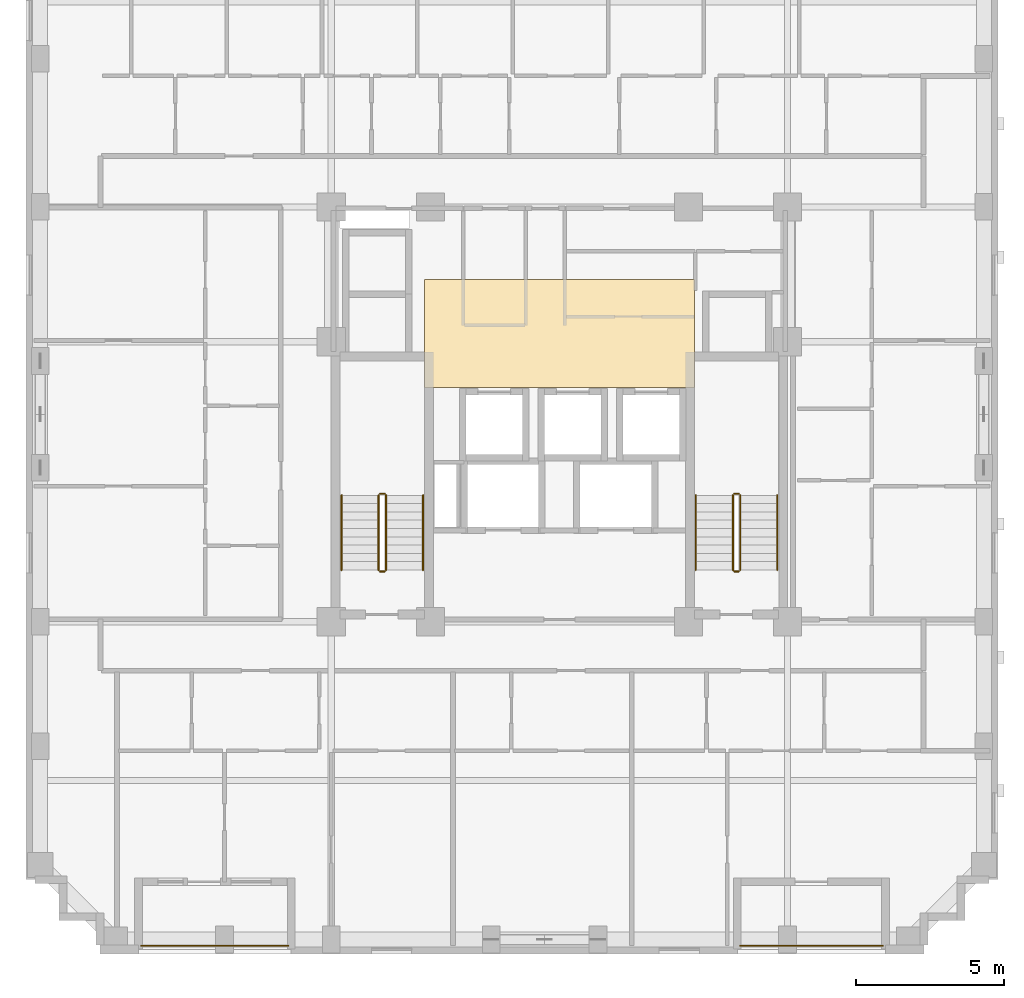
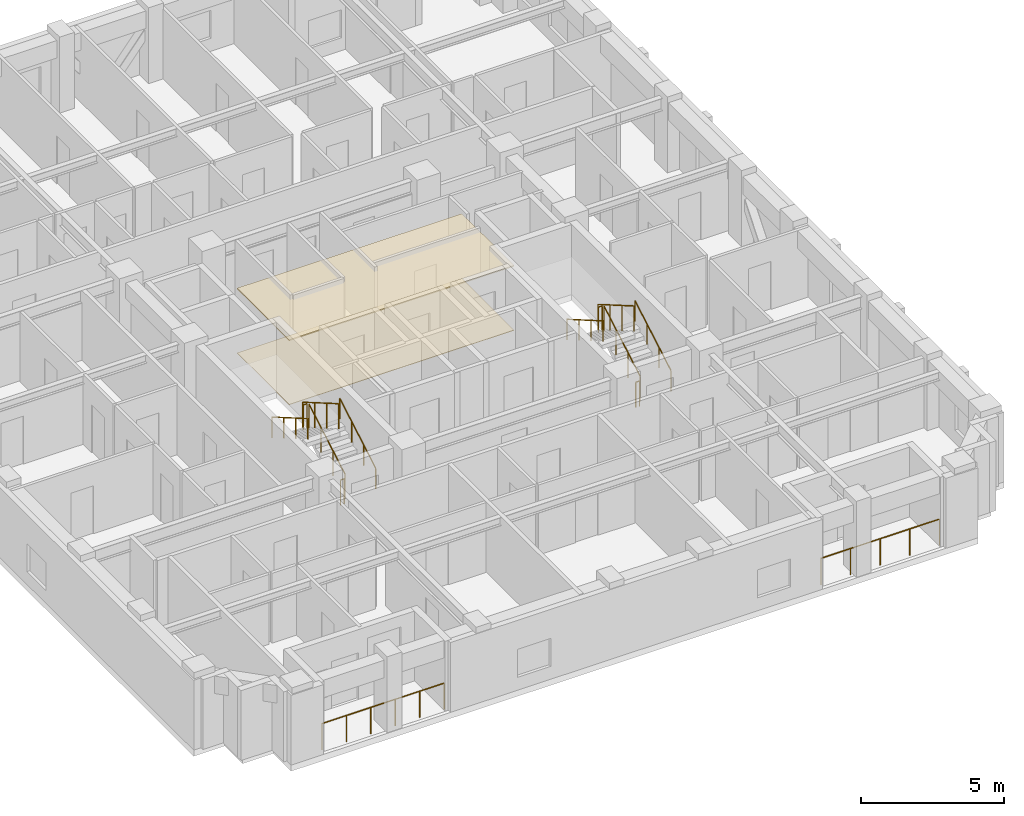
# One storey, part 10 of 11: 14 railings, 2 coverings.
"""IFC4 building model written with IfcOpenShell, lengths in metres."""

from ifc_helpers import new_model, si_unit, derived_unit, direction, frame, origin, origin_2d, place, context, subcontext, project, spatial, polyline, circle, outline, extrude, material, layer, layer_set, type_object, element, save


model = new_model("IFC4")

# Units and contexts
model_context = context("Model", 3, precision=1e-05, world=origin(), true_north=direction((0.0, 1.0)))
body_context = subcontext(model_context, "Body", "Model", "MODEL_VIEW")
ifc_project = project(units=[si_unit("LENGTHUNIT", "METRE"), si_unit("AREAUNIT", "SQUARE_METRE"), si_unit("VOLUMEUNIT", "CUBIC_METRE"), si_unit("PLANEANGLEUNIT", "RADIAN"), si_unit("MASSUNIT", "GRAM", prefix="KILO"), derived_unit("THERMALTRANSMITTANCEUNIT", [(si_unit("MASSUNIT", "GRAM", prefix="KILO"), 1), (si_unit("TIMEUNIT", "SECOND"), -3), (si_unit("THERMODYNAMICTEMPERATUREUNIT", "KELVIN"), -1)])], contexts=[model_context])

# Site, building, storey
site_placement = place(None, origin())
site = spatial("IfcSite", under=ifc_project, at=site_placement, CompositionType="ELEMENT")
building_placement = place(site_placement, origin())
building = spatial("IfcBuilding", under=site, at=building_placement, Name="Korrvale Station Residences", CompositionType="ELEMENT")
storey_placement = place(building_placement, frame((0.0, 0.0, 156.89990234375)))
storey = spatial("IfcBuildingStorey", under=building, at=storey_placement, Name="L45", CompositionType="ELEMENT", Elevation=156.89990234375)

# Coverings
ifc_material_1 = material(Name="Perforated acoustic mineral-fibre suspended ceiling", Category="gypsum")
ifc_layer_1 = layer(ifc_material_1, 0.050048828125, Name="Perforated acoustic mineral-fibre suspended ceiling")
ifc_layer_set_1 = layer_set([ifc_layer_1], Name="Perforated acoustic mineral-fibre suspended ceiling")
covering_type_1 = type_object("IfcCoveringType", Name="COV-CLG-AC60", PredefinedType="CEILING", material=ifc_layer_set_1)
covering_1_placement = place(storey_placement, frame((0.0, 0.0, 2.739990234375)))
element("IfcCovering", 1, at=covering_1_placement, inside=storey, type_object=covering_type_1, Name="L45 Elevator Lobby Acoustic Ceiling", PredefinedType="CEILING", context=body_context, shape_type="SweptSolid", body=[
    extrude(outline(polyline([(20.949951171875, 22.89990234375), (30.050048828125, 22.89990234375), (30.050048828125, 26.550048828125), (20.949951171875, 26.550048828125), (20.949951171875, 22.89990234375)])), origin(), (0.0, 0.0, 1.0), 0.050048828125),
])
ifc_material_2 = material(Name="Polished quartz-terrazzo lobby flooring", Category="masonry")
ifc_layer_2 = layer(ifc_material_2, 0.02001953125, Name="Polished quartz-terrazzo lobby flooring")
ifc_layer_set_2 = layer_set([ifc_layer_2], Name="Polished quartz-terrazzo lobby flooring")
covering_type_2 = type_object("IfcCoveringType", Name="COV-FLR-TER20", PredefinedType="FLOORING", material=ifc_layer_set_2)
covering_2_placement = place(storey_placement, origin())
element("IfcCovering", 2, at=covering_2_placement, inside=storey, type_object=covering_type_2, Name="L45 Elevator Lobby Terrazzo Flooring", PredefinedType="FLOORING", context=body_context, shape_type="SweptSolid", body=[
    extrude(outline(polyline([(20.949951171875, 22.89990234375), (30.050048828125, 22.89990234375), (30.050048828125, 26.550048828125), (20.949951171875, 26.550048828125), (20.949951171875, 22.89990234375)])), origin(), (0.0, 0.0, 1.0), 0.02001953125),
])

# Railings
ifc_material_3 = material(Name="Powder-coated aluminium picket loggia guard", Category="aluminium")
railing_type_1 = type_object("IfcRailingType", Name="RLG-BAL-1150", PredefinedType="GUARDRAIL", material=ifc_material_3)
railing_1_placement = place(storey_placement, frame((31.60009765625, 4.070068359375, 0.0)))
element("IfcRailing", 3, at=railing_1_placement, inside=storey, type_object=railing_type_1, Name="L45 Recessed Loggia Guardrail BAL-L45-S2", PredefinedType="GUARDRAIL", context=body_context, shape_type="SweptSolid", body=[
    extrude(circle(Radius=0.02392578125, at=origin_2d()), frame((0.0, 0.0, 1.1259765625), z_axis=(1.0, 0.0, 0.0), x_axis=(0.0, 1.0, 0.0)), (0.0, 0.0, 1.0), 4.7998046875),
    extrude(circle(Radius=0.02099609375, at=origin_2d()), origin(), (0.0, 0.0, 1.0), 1.101806640625),
    extrude(circle(Radius=0.02099609375, at=origin_2d()), frame((1.199951171875, 0.0, 0.0)), (0.0, 0.0, 1.0), 1.101806640625),
    extrude(circle(Radius=0.02099609375, at=origin_2d()), frame((2.39990234375, 0.0, 0.0)), (0.0, 0.0, 1.0), 1.101806640625),
    extrude(circle(Radius=0.02099609375, at=origin_2d()), frame((3.599853515625, 0.0, 0.0)), (0.0, 0.0, 1.0), 1.101806640625),
    extrude(circle(Radius=0.02099609375, at=origin_2d()), frame((4.7998046875, 0.0, 0.0)), (0.0, 0.0, 1.0), 1.101806640625),
])
railing_2_placement = place(storey_placement, frame((11.39990234375, 4.070068359375, 0.0)))
element("IfcRailing", 4, at=railing_2_placement, inside=storey, type_object=railing_type_1, Name="L45 Recessed Loggia Guardrail BAL-L45-S1", PredefinedType="GUARDRAIL", context=body_context, shape_type="SweptSolid", body=[
    extrude(circle(Radius=0.02392578125, at=origin_2d()), frame((0.0, 0.0, 1.1259765625), z_axis=(1.0, 0.0, 0.0), x_axis=(0.0, 1.0, 0.0)), (0.0, 0.0, 1.0), 4.9501953125),
    extrude(circle(Radius=0.02099609375, at=origin_2d()), origin(), (0.0, 0.0, 1.0), 1.101806640625),
    extrude(circle(Radius=0.02099609375, at=origin_2d()), frame((0.989990234375, 0.0, 0.0)), (0.0, 0.0, 1.0), 1.101806640625),
    extrude(circle(Radius=0.02099609375, at=origin_2d()), frame((1.97998046875, 0.0, 0.0)), (0.0, 0.0, 1.0), 1.101806640625),
    extrude(circle(Radius=0.02099609375, at=origin_2d()), frame((2.97021484375, 0.0, 0.0)), (0.0, 0.0, 1.0), 1.101806640625),
    extrude(circle(Radius=0.02099609375, at=origin_2d()), frame((3.960205078125, 0.0, 0.0)), (0.0, 0.0, 1.0), 1.101806640625),
    extrude(circle(Radius=0.02099609375, at=origin_2d()), frame((4.9501953125, 0.0, 0.0)), (0.0, 0.0, 1.0), 1.101806640625),
])
ifc_material_4 = material(Name="Brushed stainless-steel continuous stair handrail", Category="steel")
railing_type_2 = type_object("IfcRailingType", Name="RLG-SHND-900", PredefinedType="HANDRAIL", material=ifc_material_4)
railing_3_placement = place(storey_placement, frame((20.89990234375, 16.75, 0.16259765625)))
element("IfcRailing", 5, at=railing_3_placement, inside=storey, type_object=railing_type_2, Name="L45 ST-1 stair handrail 1", PredefinedType="HANDRAIL", context=body_context, shape_type="SweptSolid", body=[
    extrude(circle(Radius=0.02392578125, at=origin_2d()), frame((0.0, 0.0, 0.8759765625), z_axis=(0.0, 0.864913338283, 0.50192122615), x_axis=(-1.0, 0.0, 0.0)), (0.0, 0.0, 1.0), 2.91357421875),
    extrude(circle(Radius=0.02099609375, at=origin_2d()), origin(), (0.0, 0.0, 1.0), 0.851806640625),
    extrude(circle(Radius=0.02099609375, at=origin_2d()), frame((0.0, 0.840087890625, 0.487548828125)), (0.0, 0.0, 1.0), 0.851806640625),
    extrude(circle(Radius=0.02099609375, at=origin_2d()), frame((0.0, 1.679931640625, 0.974853515625)), (0.0, 0.0, 1.0), 0.851806640625),
    extrude(circle(Radius=0.02099609375, at=origin_2d()), frame((0.0, 2.52001953125, 1.46240234375)), (0.0, 0.0, 1.0), 0.851806640625),
])
railing_4_placement = place(storey_placement, frame((18.14990234375, 19.27001953125, 1.78759765625)))
element("IfcRailing", 6, at=railing_4_placement, inside=storey, type_object=railing_type_2, Name="L45 ST-1 stair handrail 2", PredefinedType="HANDRAIL", context=body_context, shape_type="SweptSolid", body=[
    extrude(circle(Radius=0.02392578125, at=origin_2d()), frame((0.0, 0.0, 0.8759765625), z_axis=(0.0, -0.864913338283, 0.50192122615), x_axis=(1.0, 0.0, 0.0)), (0.0, 0.0, 1.0), 2.91357421875),
    extrude(circle(Radius=0.02099609375, at=origin_2d()), origin(), (0.0, 0.0, 1.0), 0.851806640625),
    extrude(circle(Radius=0.02099609375, at=origin_2d()), frame((0.0, -0.840087890625, 0.487548828125)), (0.0, 0.0, 1.0), 0.851806640625),
    extrude(circle(Radius=0.02099609375, at=origin_2d()), frame((0.0, -1.679931640625, 0.974853515625)), (0.0, 0.0, 1.0), 0.851806640625),
    extrude(circle(Radius=0.02099609375, at=origin_2d()), frame((0.0, -2.52001953125, 1.46240234375)), (0.0, 0.0, 1.0), 0.851806640625),
])
railing_5_placement = place(storey_placement, frame((32.85009765625, 16.75, 0.16259765625)))
element("IfcRailing", 7, at=railing_5_placement, inside=storey, type_object=railing_type_2, Name="L45 ST-2 stair handrail 1", PredefinedType="HANDRAIL", context=body_context, shape_type="SweptSolid", body=[
    extrude(circle(Radius=0.02392578125, at=origin_2d()), frame((0.0, 0.0, 0.8759765625), z_axis=(0.0, 0.864913338283, 0.50192122615), x_axis=(-1.0, 0.0, 0.0)), (0.0, 0.0, 1.0), 2.91357421875),
    extrude(circle(Radius=0.02099609375, at=origin_2d()), origin(), (0.0, 0.0, 1.0), 0.851806640625),
    extrude(circle(Radius=0.02099609375, at=origin_2d()), frame((0.0, 0.840087890625, 0.487548828125)), (0.0, 0.0, 1.0), 0.851806640625),
    extrude(circle(Radius=0.02099609375, at=origin_2d()), frame((0.0, 1.679931640625, 0.974853515625)), (0.0, 0.0, 1.0), 0.851806640625),
    extrude(circle(Radius=0.02099609375, at=origin_2d()), frame((0.0, 2.52001953125, 1.46240234375)), (0.0, 0.0, 1.0), 0.851806640625),
])
railing_6_placement = place(storey_placement, frame((30.10009765625, 19.27001953125, 1.78759765625)))
element("IfcRailing", 8, at=railing_6_placement, inside=storey, type_object=railing_type_2, Name="L45 ST-2 stair handrail 2", PredefinedType="HANDRAIL", context=body_context, shape_type="SweptSolid", body=[
    extrude(circle(Radius=0.02392578125, at=origin_2d()), frame((0.0, 0.0, 0.8759765625), z_axis=(0.0, -0.864913338283, 0.50192122615), x_axis=(1.0, 0.0, 0.0)), (0.0, 0.0, 1.0), 2.91357421875),
    extrude(circle(Radius=0.02099609375, at=origin_2d()), origin(), (0.0, 0.0, 1.0), 0.851806640625),
    extrude(circle(Radius=0.02099609375, at=origin_2d()), frame((0.0, -0.840087890625, 0.487548828125)), (0.0, 0.0, 1.0), 0.851806640625),
    extrude(circle(Radius=0.02099609375, at=origin_2d()), frame((0.0, -1.679931640625, 0.974853515625)), (0.0, 0.0, 1.0), 0.851806640625),
    extrude(circle(Radius=0.02099609375, at=origin_2d()), frame((0.0, -2.52001953125, 1.46240234375)), (0.0, 0.0, 1.0), 0.851806640625),
])
ifc_material_5 = material(Name="Galvanised painted tubular steel stair guard", Category="steel")
railing_type_3 = type_object("IfcRailingType", Name="RLG-STR-1100", PredefinedType="GUARDRAIL", material=ifc_material_5)
railing_7_placement = place(storey_placement, frame((19.64990234375, 16.75, 0.16259765625)))
element("IfcRailing", 9, at=railing_7_placement, inside=storey, type_object=railing_type_3, Name="L45 ST-1 stair guard 1", PredefinedType="GUARDRAIL", context=body_context, shape_type="SweptSolid", body=[
    extrude(circle(Radius=0.02392578125, at=origin_2d()), frame((0.0, 0.0, 1.076171875), z_axis=(0.0, 0.864913338283, 0.50192122615), x_axis=(-1.0, 0.0, 0.0)), (0.0, 0.0, 1.0), 2.91357421875),
    extrude(circle(Radius=0.02099609375, at=origin_2d()), origin(), (0.0, 0.0, 1.0), 1.052001953125),
    extrude(circle(Radius=0.02099609375, at=origin_2d()), frame((0.0, 0.840087890625, 0.487548828125)), (0.0, 0.0, 1.0), 1.052001953125),
    extrude(circle(Radius=0.02099609375, at=origin_2d()), frame((0.0, 1.679931640625, 0.974853515625)), (0.0, 0.0, 1.0), 1.052001953125),
    extrude(circle(Radius=0.02099609375, at=origin_2d()), frame((0.0, 2.52001953125, 1.46240234375)), (0.0, 0.0, 1.0), 1.052001953125),
])
railing_8_placement = place(storey_placement, frame((19.60009765625, 19.320068359375, 1.625)))
element("IfcRailing", 10, at=railing_8_placement, inside=storey, type_object=railing_type_3, Name="L45 ST-1 stair guard 2", PredefinedType="GUARDRAIL", context=body_context, shape_type="SweptSolid", body=[
    extrude(circle(Radius=0.02392578125, at=origin_2d()), frame((0.0, 0.0, 1.076171875), z_axis=(-1.0, 0.0, 0.0), x_axis=(0.0, -1.0, 0.0)), (0.0, 0.0, 1.0), 0.150146484375),
    extrude(circle(Radius=0.02099609375, at=origin_2d()), origin(), (0.0, 0.0, 1.0), 1.052001953125),
    extrude(circle(Radius=0.02099609375, at=origin_2d()), frame((-0.150146484375, 0.0, 0.0)), (0.0, 0.0, 1.0), 1.052001953125),
])
railing_9_placement = place(storey_placement, frame((19.39990234375, 19.27001953125, 1.78759765625)))
element("IfcRailing", 11, at=railing_9_placement, inside=storey, type_object=railing_type_3, Name="L45 ST-1 stair guard 3", PredefinedType="GUARDRAIL", context=body_context, shape_type="SweptSolid", body=[
    extrude(circle(Radius=0.02392578125, at=origin_2d()), frame((0.0, 0.0, 1.076171875), z_axis=(0.0, -0.864913338283, 0.50192122615), x_axis=(1.0, 0.0, 0.0)), (0.0, 0.0, 1.0), 2.91357421875),
    extrude(circle(Radius=0.02099609375, at=origin_2d()), origin(), (0.0, 0.0, 1.0), 1.052001953125),
    extrude(circle(Radius=0.02099609375, at=origin_2d()), frame((0.0, -0.840087890625, 0.487548828125)), (0.0, 0.0, 1.0), 1.052001953125),
    extrude(circle(Radius=0.02099609375, at=origin_2d()), frame((0.0, -1.679931640625, 0.974853515625)), (0.0, 0.0, 1.0), 1.052001953125),
    extrude(circle(Radius=0.02099609375, at=origin_2d()), frame((0.0, -2.52001953125, 1.46240234375)), (0.0, 0.0, 1.0), 1.052001953125),
])
railing_10_placement = place(storey_placement, frame((19.60009765625, 16.699951171875, 0.0)))
element("IfcRailing", 12, at=railing_10_placement, inside=storey, type_object=railing_type_3, Name="L45 ST-1 stair guard 4", PredefinedType="GUARDRAIL", context=body_context, shape_type="SweptSolid", body=[
    extrude(circle(Radius=0.02392578125, at=origin_2d()), frame((0.0, 0.0, 1.076171875), z_axis=(-1.0, 0.0, 0.0), x_axis=(0.0, -1.0, 0.0)), (0.0, 0.0, 1.0), 0.150146484375),
    extrude(circle(Radius=0.02099609375, at=origin_2d()), origin(), (0.0, 0.0, 1.0), 1.052001953125),
    extrude(circle(Radius=0.02099609375, at=origin_2d()), frame((-0.150146484375, 0.0, 0.0)), (0.0, 0.0, 1.0), 1.052001953125),
])
railing_11_placement = place(storey_placement, frame((31.60009765625, 16.75, 0.16259765625)))
element("IfcRailing", 13, at=railing_11_placement, inside=storey, type_object=railing_type_3, Name="L45 ST-2 stair guard 1", PredefinedType="GUARDRAIL", context=body_context, shape_type="SweptSolid", body=[
    extrude(circle(Radius=0.02392578125, at=origin_2d()), frame((0.0, 0.0, 1.076171875), z_axis=(0.0, 0.864913338283, 0.50192122615), x_axis=(-1.0, 0.0, 0.0)), (0.0, 0.0, 1.0), 2.91357421875),
    extrude(circle(Radius=0.02099609375, at=origin_2d()), origin(), (0.0, 0.0, 1.0), 1.052001953125),
    extrude(circle(Radius=0.02099609375, at=origin_2d()), frame((0.0, 0.840087890625, 0.487548828125)), (0.0, 0.0, 1.0), 1.052001953125),
    extrude(circle(Radius=0.02099609375, at=origin_2d()), frame((0.0, 1.679931640625, 0.974853515625)), (0.0, 0.0, 1.0), 1.052001953125),
    extrude(circle(Radius=0.02099609375, at=origin_2d()), frame((0.0, 2.52001953125, 1.46240234375)), (0.0, 0.0, 1.0), 1.052001953125),
])
railing_12_placement = place(storey_placement, frame((31.550048828125, 19.320068359375, 1.625)))
element("IfcRailing", 14, at=railing_12_placement, inside=storey, type_object=railing_type_3, Name="L45 ST-2 stair guard 2", PredefinedType="GUARDRAIL", context=body_context, shape_type="SweptSolid", body=[
    extrude(circle(Radius=0.02392578125, at=origin_2d()), frame((0.0, 0.0, 1.076171875), z_axis=(-1.0, 0.0, 0.0), x_axis=(0.0, -1.0, 0.0)), (0.0, 0.0, 1.0), 0.150146484375),
    extrude(circle(Radius=0.02099609375, at=origin_2d()), origin(), (0.0, 0.0, 1.0), 1.052001953125),
    extrude(circle(Radius=0.02099609375, at=origin_2d()), frame((-0.150146484375, 0.0, 0.0)), (0.0, 0.0, 1.0), 1.052001953125),
])
railing_13_placement = place(storey_placement, frame((31.35009765625, 19.27001953125, 1.78759765625)))
element("IfcRailing", 15, at=railing_13_placement, inside=storey, type_object=railing_type_3, Name="L45 ST-2 stair guard 3", PredefinedType="GUARDRAIL", context=body_context, shape_type="SweptSolid", body=[
    extrude(circle(Radius=0.02392578125, at=origin_2d()), frame((0.0, 0.0, 1.076171875), z_axis=(0.0, -0.864913338283, 0.50192122615), x_axis=(1.0, 0.0, 0.0)), (0.0, 0.0, 1.0), 2.91357421875),
    extrude(circle(Radius=0.02099609375, at=origin_2d()), origin(), (0.0, 0.0, 1.0), 1.052001953125),
    extrude(circle(Radius=0.02099609375, at=origin_2d()), frame((0.0, -0.840087890625, 0.487548828125)), (0.0, 0.0, 1.0), 1.052001953125),
    extrude(circle(Radius=0.02099609375, at=origin_2d()), frame((0.0, -1.679931640625, 0.974853515625)), (0.0, 0.0, 1.0), 1.052001953125),
    extrude(circle(Radius=0.02099609375, at=origin_2d()), frame((0.0, -2.52001953125, 1.46240234375)), (0.0, 0.0, 1.0), 1.052001953125),
])
railing_14_placement = place(storey_placement, frame((31.550048828125, 16.699951171875, 0.0)))
element("IfcRailing", 16, at=railing_14_placement, inside=storey, type_object=railing_type_3, Name="L45 ST-2 stair guard 4", PredefinedType="GUARDRAIL", context=body_context, shape_type="SweptSolid", body=[
    extrude(circle(Radius=0.02392578125, at=origin_2d()), frame((0.0, 0.0, 1.076171875), z_axis=(-1.0, 0.0, 0.0), x_axis=(0.0, -1.0, 0.0)), (0.0, 0.0, 1.0), 0.150146484375),
    extrude(circle(Radius=0.02099609375, at=origin_2d()), origin(), (0.0, 0.0, 1.0), 1.052001953125),
    extrude(circle(Radius=0.02099609375, at=origin_2d()), frame((-0.150146484375, 0.0, 0.0)), (0.0, 0.0, 1.0), 1.052001953125),
])

save(model, "model.ifc")
